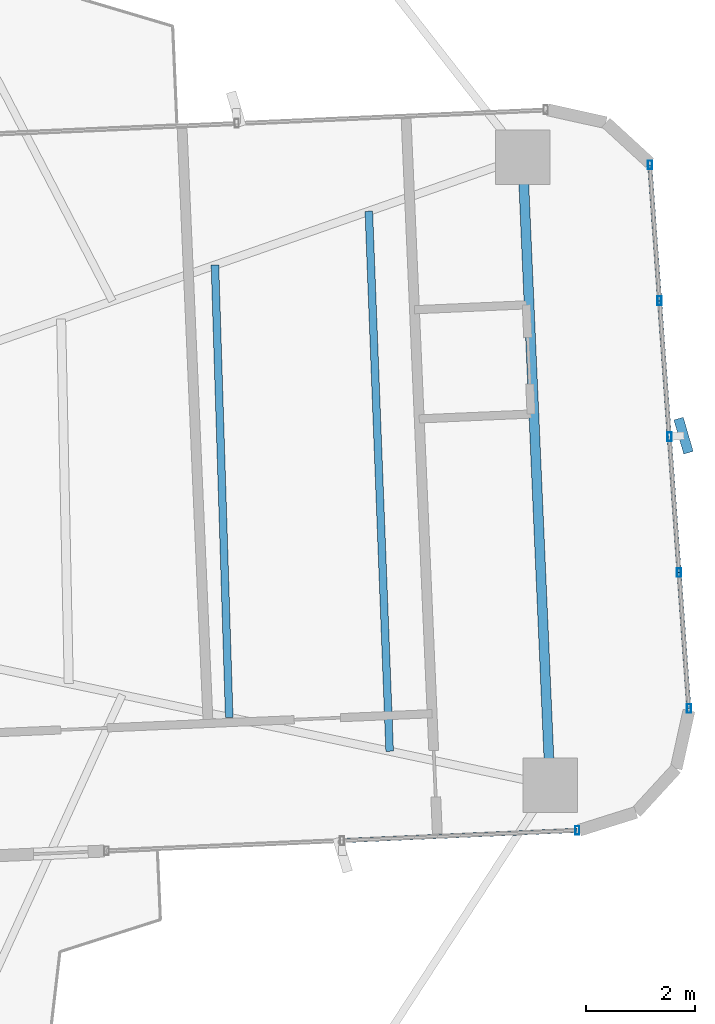
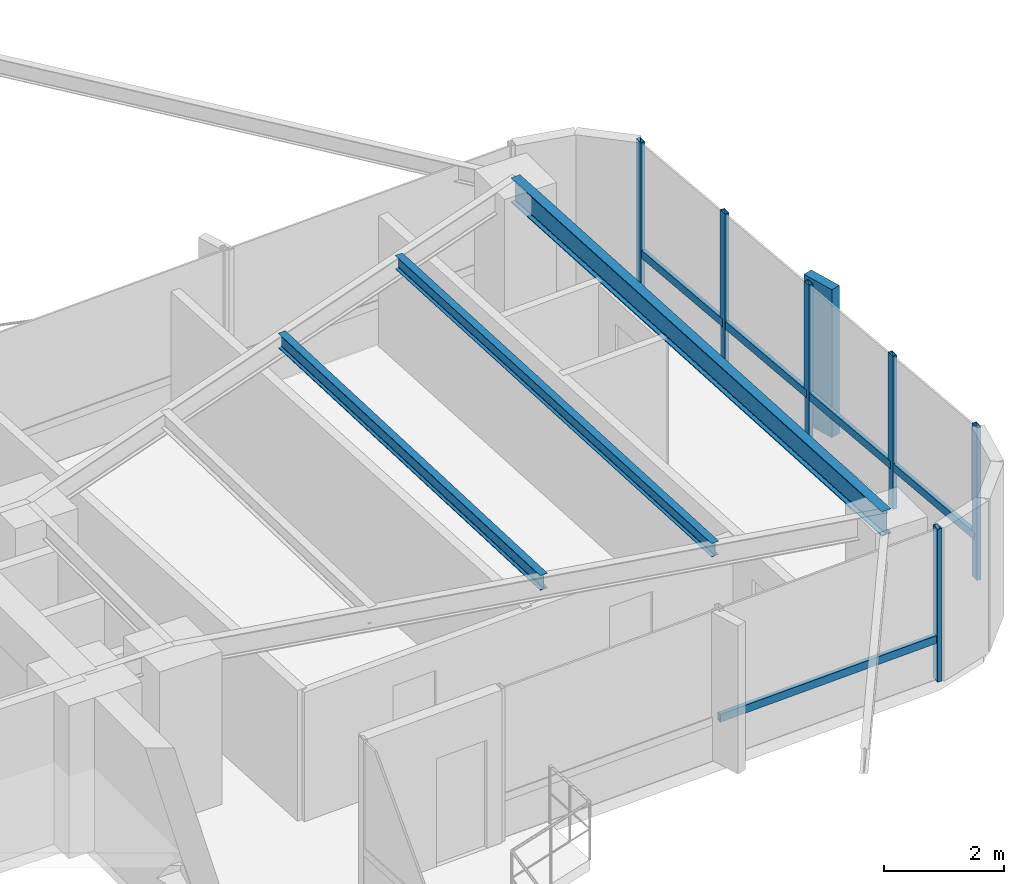
# One storey, part 15 of 26: 12 members, 3 beams, 2 elements without a shape of their own.
"""IFC4 building model written with IfcOpenShell, lengths in metres."""

from ifc_helpers import new_model, si_unit, direction, frame, origin, origin_2d, place, context, subcontext, project, spatial, rectangle, hollow_rectangle, i_section, extrude, source, transform, mapped, material, material_profile, profile_set, type_object, element, aggregate, save


model = new_model("IFC4")

# Units and contexts
model_context = context("Model", 3, precision=1e-05, world=origin(), true_north=direction((0.0, 1.0)))
body_context = subcontext(model_context, "Body", "Model", "MODEL_VIEW")
ifc_project = project(units=[si_unit("LENGTHUNIT", "METRE"), si_unit("AREAUNIT", "SQUARE_METRE"), si_unit("VOLUMEUNIT", "CUBIC_METRE"), si_unit("PLANEANGLEUNIT", "RADIAN"), si_unit("MASSUNIT", "GRAM", prefix="KILO")], contexts=[model_context])

# Site, building, storey
site_placement = place(None, origin())
site = spatial("IfcSite", under=ifc_project, at=site_placement, CompositionType="ELEMENT")
building_placement = place(site_placement, origin())
building = spatial("IfcBuilding", under=site, at=building_placement, Name="Sahyath Konkavel Grand Hotel", CompositionType="ELEMENT")
storey_placement = place(building_placement, frame((0.0, 0.0, 124.85009765625)))
storey = spatial("IfcBuildingStorey", under=building, at=storey_placement, Name="L34", CompositionType="ELEMENT", Elevation=124.85009765625)

# Beams
ifc_material_1 = material(Name="Steel E350", Category="steel")
ifc_material_profile_1 = material_profile(ifc_material_1, i_section(OverallWidth=0.179931640625, OverallDepth=0.5, WebThickness=0.01025390625, FlangeThickness=0.01708984375, FilletRadius=0.01708984375, at=origin_2d()), Name="ISMB 500")
ifc_profile_set_1 = profile_set([ifc_material_profile_1], Name="Steel E350")
beam_type_1 = type_object("IfcBeamType", Name="BM-ISMB500", PredefinedType="BEAM", material=ifc_profile_set_1)
shared_shape_1 = source(origin(), body_context, "Body", "SweptSolid", [
    extrude(i_section(OverallWidth=0.179931640625, OverallDepth=0.5, WebThickness=0.01025390625, FlangeThickness=0.01708984375, FilletRadius=0.01708984375, at=origin_2d()), origin(), (0.0, 0.0, 1.0), 11.5),
])
beam_1_placement = place(storey_placement, frame((17.734130859375, -4.981201171875, 2.85986328125), z_axis=(-0.043627008892, 0.99904788879, 0.0), x_axis=(-0.99904788879, -0.043627008892, 0.0)))
element("IfcBeam", 1, at=beam_1_placement, inside=storey, type_object=beam_type_1, Name="L34 Wing Tip Edge Beam E", PredefinedType="BEAM", context=body_context, shape_type="MappedRepresentation", body=[
    mapped(shared_shape_1, transform((0.0, 0.0, 0.0), scale=1.0)),
])
ifc_material_profile_2 = material_profile(ifc_material_1, i_section(OverallWidth=0.139892578125, OverallDepth=0.300048828125, WebThickness=0.0078125, FlangeThickness=0.01318359375, FilletRadius=0.013916015625, at=origin_2d()), Name="ISMB 300")
ifc_profile_set_2 = profile_set([ifc_material_profile_2], Name="Steel E350")
beam_type_2 = type_object("IfcBeamType", Name="BM-ISMB300", PredefinedType="BEAM", material=ifc_profile_set_2)
shared_shape_2 = source(origin(), body_context, "Body", "SweptSolid", [
    extrude(i_section(OverallWidth=0.139892578125, OverallDepth=0.300048828125, WebThickness=0.0078125, FlangeThickness=0.01318359375, FilletRadius=0.013916015625, at=origin_2d()), origin(), (0.0, 0.0, 1.0), 8.282470703125),
])
beam_2_placement = place(storey_placement, frame((11.86181640625, -3.7421875, 2.9599609375), z_axis=(-0.031510827707, 0.999503410568, 0.0), x_axis=(-0.999503410568, -0.031510827707, 0.0)))
element("IfcBeam", 2, at=beam_2_placement, inside=storey, type_object=beam_type_2, Name="L34 Secondary Floor Beam E-2", PredefinedType="BEAM", context=body_context, shape_type="MappedRepresentation", body=[
    mapped(shared_shape_2, transform((0.0, 0.0, 0.0), scale=1.0)),
])
ifc_material_profile_3 = material_profile(ifc_material_1, i_section(OverallWidth=0.139892578125, OverallDepth=0.27490234375, WebThickness=0.00634765625, FlangeThickness=0.0087890625, FilletRadius=0.012939453125, at=origin_2d()), Name="ISLB 275")
ifc_profile_set_3 = profile_set([ifc_material_profile_3], Name="Steel E350")
beam_type_3 = type_object("IfcBeamType", Name="BM-ISLB275", PredefinedType="BEAM", material=ifc_profile_set_3)
shared_shape_3 = source(origin(), body_context, "Body", "SweptSolid", [
    extrude(i_section(OverallWidth=0.139892578125, OverallDepth=0.27490234375, WebThickness=0.00634765625, FlangeThickness=0.0087890625, FilletRadius=0.012939453125, at=origin_2d()), origin(), (0.0, 0.0, 1.0), 9.89111328125),
])
beam_3_placement = place(storey_placement, frame((14.798095703125, -4.36181640625, 2.972412109375), z_axis=(-0.03855445741, 0.999256500511, 0.0), x_axis=(-0.999256500511, -0.03855445741, 0.0)))
element("IfcBeam", 3, at=beam_3_placement, inside=storey, type_object=beam_type_3, Name="L34 Secondary Floor Beam E-3", PredefinedType="BEAM", context=body_context, shape_type="MappedRepresentation", body=[
    mapped(shared_shape_3, transform((0.0, 0.0, 0.0), scale=1.0)),
])

# Curtain wall, member
ifc_material_2 = material(Name="Anodised Bronze Aluminium & Low-E Glazing", Category="aluminium")
curtain_wall_type = type_object("IfcCurtainWallType", Name="CW-ZONE2", PredefinedType="NOTDEFINED", material=ifc_material_2)
curtain_wall_1_placement = place(storey_placement, origin())
curtain_wall_1 = element("IfcCurtainWall", 4, at=curtain_wall_1_placement, inside=storey, type_object=curtain_wall_type, Name="L34 Unitised Curtain Wall F0", PredefinedType="NOTDEFINED")
ifc_material_3 = material(Name="Anodised Bronze Aluminium", Category="aluminium")
ifc_material_profile_4 = material_profile(ifc_material_3, hollow_rectangle(XDim=0.080078125, YDim=0.159912109375, WallThickness=0.006103515625, at=origin_2d()), Name="RHS 160x80x6")
ifc_profile_set_4 = profile_set([ifc_material_profile_4], Name="Anodised Bronze Aluminium")
member_type_1 = type_object("IfcMemberType", Name="CW-MUL-160", PredefinedType="MULLION", material=ifc_profile_set_4)
shared_shape_4 = source(origin(), body_context, "Body", "SweptSolid", [
    extrude(hollow_rectangle(XDim=0.080078125, YDim=0.159912109375, WallThickness=0.006103515625, at=origin_2d()), origin(), (0.0, 0.0, 1.0), 3.10986328125),
])
member_1_placement = place(storey_placement, frame((18.230712890625, -5.810302734375, 0.0), z_axis=(0.0, 0.0, 1.0), x_axis=(1.0, 0.0, 0.0)))
member_1 = element("IfcMember", 5, at=member_1_placement, type_object=member_type_1, Name="L34 Curtain Wall Mullion F0-2", PredefinedType="MULLION", context=body_context, shape_type="MappedRepresentation", body=[
    mapped(shared_shape_4, transform((0.0, 0.0, 0.0), scale=1.0)),
])

# Curtain wall, members
curtain_wall_2_placement = place(storey_placement, origin())
curtain_wall_2 = element("IfcCurtainWall", 6, at=curtain_wall_2_placement, inside=storey, type_object=curtain_wall_type, Name="L34 Unitised Curtain Wall F4", PredefinedType="NOTDEFINED")
member_2_placement = place(storey_placement, frame((20.2744140625, -3.5791015625, 0.0), z_axis=(0.0, 0.0, 1.0), x_axis=(1.0, 0.0, 0.0)))
member_2 = element("IfcMember", 7, at=member_2_placement, type_object=member_type_1, Name="L34 Curtain Wall Mullion F4-0", PredefinedType="MULLION", context=body_context, shape_type="MappedRepresentation", body=[
    mapped(shared_shape_4, transform((0.0, 0.0, 0.0), scale=1.0)),
])
member_3_placement = place(storey_placement, frame((20.095947265625, -1.092041015625, 0.0), z_axis=(0.0, 0.0, 1.0), x_axis=(1.0, 0.0, 0.0)))
member_3 = element("IfcMember", 8, at=member_3_placement, type_object=member_type_1, Name="L34 Curtain Wall Mullion F4-1", PredefinedType="MULLION", context=body_context, shape_type="MappedRepresentation", body=[
    mapped(shared_shape_4, transform((0.0, 0.0, 0.0), scale=1.0)),
])
member_4_placement = place(storey_placement, frame((19.91748046875, 1.39501953125, 0.0), z_axis=(0.0, 0.0, 1.0), x_axis=(1.0, 0.0, 0.0)))
member_4 = element("IfcMember", 9, at=member_4_placement, type_object=member_type_1, Name="L34 Curtain Wall Mullion F4-2", PredefinedType="MULLION", context=body_context, shape_type="MappedRepresentation", body=[
    mapped(shared_shape_4, transform((0.0, 0.0, 0.0), scale=1.0)),
])
member_5_placement = place(storey_placement, frame((19.739013671875, 3.882080078125, 0.0), z_axis=(0.0, 0.0, 1.0), x_axis=(1.0, 0.0, 0.0)))
member_5 = element("IfcMember", 10, at=member_5_placement, type_object=member_type_1, Name="L34 Curtain Wall Mullion F4-3", PredefinedType="MULLION", context=body_context, shape_type="MappedRepresentation", body=[
    mapped(shared_shape_4, transform((0.0, 0.0, 0.0), scale=1.0)),
])
member_6_placement = place(storey_placement, frame((19.560546875, 6.369384765625, 0.0), z_axis=(0.0, 0.0, 1.0), x_axis=(1.0, 0.0, 0.0)))
member_6 = element("IfcMember", 11, at=member_6_placement, type_object=member_type_1, Name="L34 Curtain Wall Mullion F4-4", PredefinedType="MULLION", context=body_context, shape_type="MappedRepresentation", body=[
    mapped(shared_shape_4, transform((0.0, 0.0, 0.0), scale=1.0)),
])
ifc_material_4 = material(Name="Warm Buff Sandstone Cladding on Concrete C50/60", Category="masonry")
ifc_material_profile_5 = material_profile(ifc_material_4, rectangle(XDim=0.179931640625, YDim=0.64990234375, at=origin_2d()), Name="FIN 180x650")
ifc_profile_set_5 = profile_set([ifc_material_profile_5], Name="Warm Buff Sandstone Cladding on Concrete C50/60")
member_type_2 = type_object("IfcMemberType", Name="FIN-SANDSTONE-650", PredefinedType="MULLION", material=ifc_profile_set_5)
shared_shape_5 = source(origin(), body_context, "Body", "SweptSolid", [
    extrude(rectangle(XDim=0.179931640625, YDim=0.64990234375, at=origin_2d()), origin(), (0.0, 0.0, 1.0), 3.010009765625),
])
member_7_placement = place(storey_placement, frame((20.1767578125, 1.413818359375, 0.0498046875), z_axis=(0.0, 0.0, 1.0), x_axis=(0.960488224179, 0.278320626641, 0.0)))
member_7 = element("IfcMember", 12, at=member_7_placement, type_object=member_type_2, Name="L34 Sandstone Vertical Solar Fin FIN F4-2", PredefinedType="MULLION", context=body_context, shape_type="MappedRepresentation", body=[
    mapped(shared_shape_5, transform((0.0, 0.0, 0.0), scale=1.0)),
])

# Member
ifc_material_profile_6 = material_profile(ifc_material_3, hollow_rectangle(XDim=0.080078125, YDim=0.159912109375, WallThickness=0.006103515625, at=origin_2d()), Name="RHS 160x80x6")
ifc_profile_set_6 = profile_set([ifc_material_profile_6], Name="Anodised Bronze Aluminium")
member_type_3 = type_object("IfcMemberType", Name="CW-TRN-160", PredefinedType="USERDEFINED", material=ifc_profile_set_6)
shared_shape_6 = source(origin(), body_context, "Body", "SweptSolid", [
    extrude(hollow_rectangle(XDim=0.080078125, YDim=0.159912109375, WallThickness=0.006103515625, at=origin_2d()), origin(), (0.0, 0.0, 1.0), 4.31005859375),
])
member_8_placement = place(storey_placement, frame((13.9248046875, -5.998291015625, 0.849853515625), z_axis=(0.999048340188, 0.043616670746, 0.0), x_axis=(-0.043616670746, 0.999048340188, 0.0)))
member_8 = element("IfcMember", 13, at=member_8_placement, type_object=member_type_3, Name="L34 Curtain Wall Transom F0-1-spandrel", ObjectType="TRANSOM", PredefinedType="USERDEFINED", context=body_context, shape_type="MappedRepresentation", body=[
    mapped(shared_shape_6, transform((0.0, 0.0, 0.0), scale=1.0)),
])

aggregate(curtain_wall_1, [member_1, member_8])

shared_shape_7 = source(origin(), body_context, "Body", "SweptSolid", [
    extrude(hollow_rectangle(XDim=0.080078125, YDim=0.159912109375, WallThickness=0.006103515625, at=origin_2d()), origin(), (0.0, 0.0, 1.0), 2.493408203125),
])
member_9_placement = place(storey_placement, frame((20.2744140625, -3.5791015625, 0.849853515625), z_axis=(-0.071574084062, 0.997435286367, 0.0), x_axis=(-0.997435286367, -0.071574084062, 0.0)))
member_9 = element("IfcMember", 14, at=member_9_placement, type_object=member_type_3, Name="L34 Curtain Wall Transom F4-0-spandrel", ObjectType="TRANSOM", PredefinedType="USERDEFINED", context=body_context, shape_type="MappedRepresentation", body=[
    mapped(shared_shape_7, transform((0.0, 0.0, 0.0), scale=1.0)),
])

member_10_placement = place(storey_placement, frame((20.095947265625, -1.092041015625, 0.849853515625), z_axis=(-0.071574084062, 0.997435286367, 0.0), x_axis=(-0.997435286367, -0.071574084062, 0.0)))
member_10 = element("IfcMember", 15, at=member_10_placement, type_object=member_type_3, Name="L34 Curtain Wall Transom F4-1-spandrel", ObjectType="TRANSOM", PredefinedType="USERDEFINED", context=body_context, shape_type="MappedRepresentation", body=[
    mapped(shared_shape_7, transform((0.0, 0.0, 0.0), scale=1.0)),
])

member_11_placement = place(storey_placement, frame((19.91748046875, 1.39501953125, 0.849853515625), z_axis=(-0.071574084062, 0.997435286367, 0.0), x_axis=(-0.997435286367, -0.071574084062, 0.0)))
member_11 = element("IfcMember", 16, at=member_11_placement, type_object=member_type_3, Name="L34 Curtain Wall Transom F4-2-spandrel", ObjectType="TRANSOM", PredefinedType="USERDEFINED", context=body_context, shape_type="MappedRepresentation", body=[
    mapped(shared_shape_7, transform((0.0, 0.0, 0.0), scale=1.0)),
])

shared_shape_8 = source(origin(), body_context, "Body", "SweptSolid", [
    extrude(hollow_rectangle(XDim=0.080078125, YDim=0.159912109375, WallThickness=0.006103515625, at=origin_2d()), origin(), (0.0, 0.0, 1.0), 2.49365234375),
])
member_12_placement = place(storey_placement, frame((19.739013671875, 3.882080078125, 0.849853515625), z_axis=(-0.071567094714, 0.997435787885, 0.0), x_axis=(-0.997435787885, -0.071567094714, 0.0)))
member_12 = element("IfcMember", 17, at=member_12_placement, type_object=member_type_3, Name="L34 Curtain Wall Transom F4-3-spandrel", ObjectType="TRANSOM", PredefinedType="USERDEFINED", context=body_context, shape_type="MappedRepresentation", body=[
    mapped(shared_shape_8, transform((0.0, 0.0, 0.0), scale=1.0)),
])

aggregate(curtain_wall_2, [member_2, member_3, member_4, member_7, member_5, member_6, member_9, member_10, member_11, member_12])

save(model, "model.ifc")
